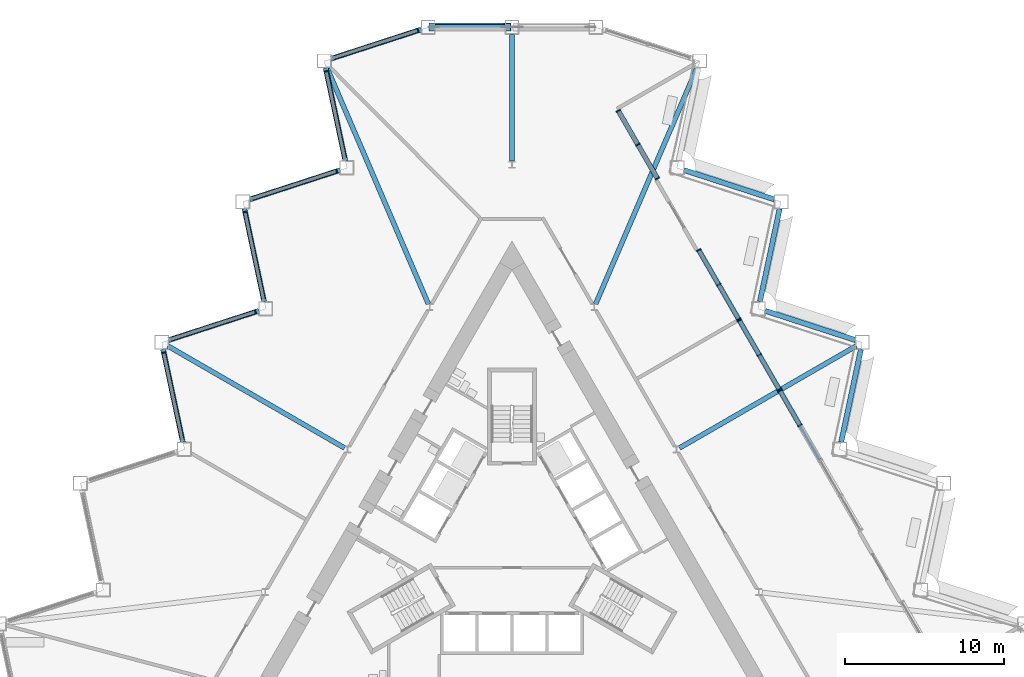
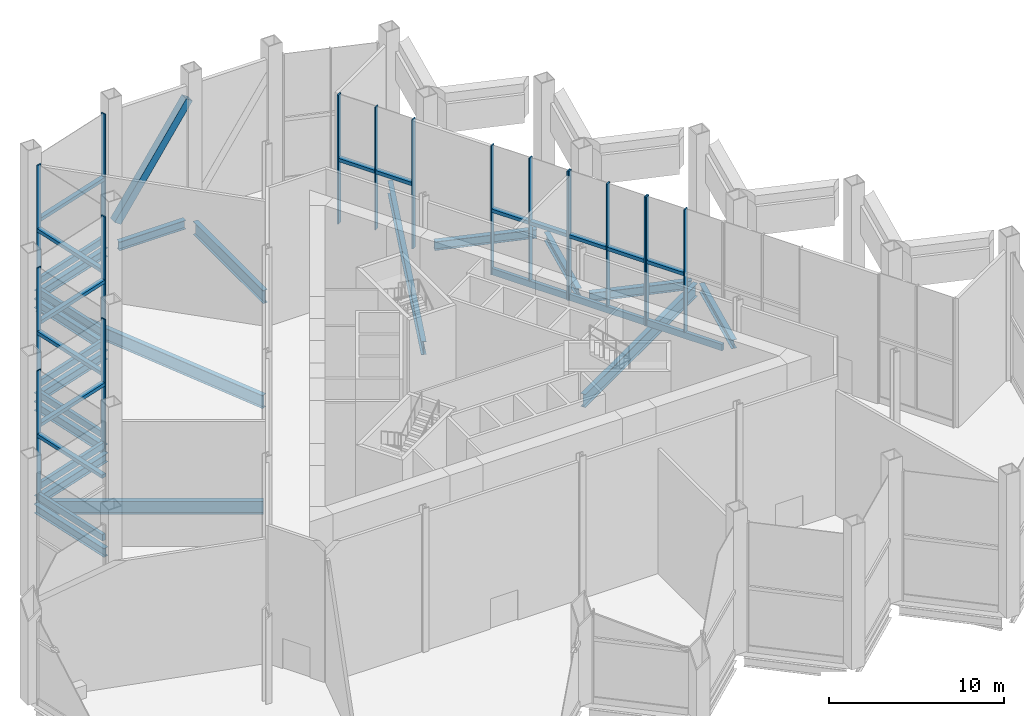
# One storey, part 5 of 18: 40 members, 16 beams, 5 elements without a shape of their own.
"""IFC4 building model written with IfcOpenShell, lengths in metres."""

from ifc_helpers import new_model, si_unit, direction, frame, origin, origin_2d, place, context, subcontext, project, spatial, rectangle, hollow_rectangle, i_section, extrude, material, layer, layer_set, material_profile, profile_set, type_object, element, aggregate, save


model = new_model("IFC4")

# Units and contexts
model_context = context("Model", 3, precision=1e-05, world=origin(), true_north=direction((0.0, 1.0)))
body_context = subcontext(model_context, "Body", "Model", "MODEL_VIEW")
ifc_project = project(units=[si_unit("LENGTHUNIT", "METRE"), si_unit("AREAUNIT", "SQUARE_METRE"), si_unit("VOLUMEUNIT", "CUBIC_METRE"), si_unit("PLANEANGLEUNIT", "RADIAN"), si_unit("MASSUNIT", "GRAM", prefix="KILO")], contexts=[model_context])

# Site, building, storey
site_placement = place(None, origin())
site = spatial("IfcSite", under=ifc_project, at=site_placement, CompositionType="ELEMENT")
building_placement = place(site_placement, origin())
building = spatial("IfcBuilding", under=site, at=building_placement, Name="Cormorant Prow Tower", CompositionType="ELEMENT")
storey_placement = place(building_placement, frame((0.0, 0.0, 154.199951171875)))
storey = spatial("IfcBuildingStorey", under=building, at=storey_placement, Name="L33", CompositionType="ELEMENT", Elevation=154.199951171875)

# Member
ifc_material_1 = material(Name="Structural steel ASTM A500 Gr C", Category="steel")
ifc_material_profile_1 = material_profile(ifc_material_1, hollow_rectangle(XDim=0.508056640625, YDim=0.508056640625, WallThickness=0.014892578125, at=origin_2d()), Name="HSS20x20x5/8")
ifc_profile_set_1 = profile_set([ifc_material_profile_1], Name="Structural steel ASTM A500 Gr C")
member_type_1 = type_object("IfcMemberType", Name="Chamfer brace HSS20x20x5/8", PredefinedType="BRACE", material=ifc_profile_set_1)
member_1_placement = place(storey_placement, frame((-4.989501953125, 32.487060546875, 1.01416015625), z_axis=(0.560352158033, 0.0, 0.828254465118), x_axis=(0.0, 1.0, 0.0)))
element("IfcMember", 1, at=member_1_placement, inside=storey, type_object=member_type_1, Name="Chamfer brace BR1 at N01 L33", PredefinedType="BRACE", context=body_context, shape_type="SweptSolid", body=[
    extrude(hollow_rectangle(XDim=0.508056640625, YDim=0.508056640625, WallThickness=0.014892578125, at=origin_2d()), origin(), (0.0, 0.0, 1.0), 8.404052734375),
])

# Beams
ifc_material_2 = material(Name="Structural steel ASTM A992 Gr 50", Category="steel")
ifc_material_profile_2 = material_profile(ifc_material_2, i_section(OverallWidth=0.3046875, OverallDepth=0.914794921875, WebThickness=0.0166015625, FlangeThickness=0.02587890625, at=origin_2d()), Name="W36x160")
ifc_profile_set_2 = profile_set([ifc_material_profile_2], Name="Structural steel ASTM A992 Gr 50")
beam_type_1 = type_object("IfcBeamType", Name="Radial floor beam W36x160", PredefinedType="BEAM", material=ifc_profile_set_2)
beam_1_placement = place(storey_placement, frame((0.0, 24.070068359375, -0.857421875), z_axis=(0.0, 1.0, 0.0), x_axis=(-1.0, 0.0, 0.0)))
element("IfcBeam", 2, at=beam_1_placement, inside=storey, type_object=beam_type_1, Name="Radial floor beam FB1 1 L33", PredefinedType="BEAM", context=body_context, shape_type="SweptSolid", body=[
    extrude(i_section(OverallWidth=0.3046875, OverallDepth=0.914794921875, WebThickness=0.0166015625, FlangeThickness=0.02587890625, at=origin_2d()), origin(), (0.0, 0.0, 1.0), 7.966796875),
])
beam_2_placement = place(storey_placement, frame((-5.25, 15.107666015625, -0.857421875), z_axis=(-0.394273140268, 0.918993302948, 0.0), x_axis=(-0.918993302948, -0.394273140268, 0.0)))
element("IfcBeam", 3, at=beam_2_placement, inside=storey, type_object=beam_type_1, Name="Radial floor beam FB1 2 L33", PredefinedType="BEAM", context=body_context, shape_type="SweptSolid", body=[
    extrude(i_section(OverallWidth=0.3046875, OverallDepth=0.914794921875, WebThickness=0.0166015625, FlangeThickness=0.02587890625, at=origin_2d()), origin(), (0.0, 0.0, 1.0), 16.153564453125),
])
for number, where, z_axis, x_axis, name in (
    (4, (-10.516845703125, 6.07177734375, -0.857421875), (-0.866021760006, 0.500006311156, 0.0), (-0.500006311156, -0.866021760006, 0.0), "Radial floor beam FB1 3 L33"),
    (5, (10.516845703125, 6.07177734375, -0.857421875), (0.866021760006, 0.500006311156, 0.0), (-0.500006311156, 0.866021760006, 0.0), "Radial floor beam FB1 11 L33"),
):
    element("IfcBeam", number, at=place(storey_placement, frame(where, z_axis=z_axis, x_axis=x_axis)), inside=storey, type_object=beam_type_1, Name=name, PredefinedType="BEAM", context=body_context, shape_type="SweptSolid", body=[
        extrude(i_section(OverallWidth=0.3046875, OverallDepth=0.914794921875, WebThickness=0.0166015625, FlangeThickness=0.02587890625, at=origin_2d()), origin(), (0.0, 0.0, 1.0), 12.805419921875),
    ])
beam_3_placement = place(storey_placement, frame((5.25, 15.107666015625, -0.857421875), z_axis=(0.394273140268, 0.918993302948, 0.0), x_axis=(-0.918993302948, 0.394273140268, 0.0)))
element("IfcBeam", 6, at=beam_3_placement, inside=storey, type_object=beam_type_1, Name="Radial floor beam FB1 12 L33", PredefinedType="BEAM", context=body_context, shape_type="SweptSolid", body=[
    extrude(i_section(OverallWidth=0.3046875, OverallDepth=0.914794921875, WebThickness=0.0166015625, FlangeThickness=0.02587890625, at=origin_2d()), origin(), (0.0, 0.0, 1.0), 16.153564453125),
])

# Curtain wall, members
ifc_material_3 = material(Name="Aluminium 6063-T6", Category="aluminium")
ifc_layer = layer(ifc_material_3, 0.300048828125)
ifc_layer_set = layer_set([ifc_layer], Name="Aluminium 6063-T6")
curtain_wall_type = type_object("IfcCurtainWallType", Name="Sky lobby unitised curtain wall 300", PredefinedType="NOTDEFINED", material=ifc_layer_set)
curtain_wall_1_placement = place(storey_placement, origin())
curtain_wall_1 = element("IfcCurtainWall", 7, at=curtain_wall_1_placement, inside=storey, type_object=curtain_wall_type, Name="Sky lobby curtain wall WNW00-WNW09", PredefinedType="NOTDEFINED")
ifc_material_4 = material(Name="Aluminium 6063-T6", Category="aluminium")
ifc_material_profile_3 = material_profile(ifc_material_4, rectangle(XDim=0.300048828125, YDim=0.239990234375, at=origin_2d()), Name="Sky lobby intermediate transom 300x240")
ifc_profile_set_3 = profile_set([ifc_material_profile_3], Name="Aluminium 6063-T6")
member_type_2 = type_object("IfcMemberType", Name="Sky lobby intermediate transom 300x240", PredefinedType="USERDEFINED", material=ifc_profile_set_3)
member_2_placement = place(storey_placement, frame((-5.95068359375, 32.265625, 4.494384765625), z_axis=(-0.951057181883, -0.3090149459, 0.0), x_axis=(0.3090149459, -0.951057181883, 0.0)))
member_2 = element("IfcMember", 8, at=member_2_placement, type_object=member_type_2, Name="Sky lobby intermediate transom WNW00-WNW09", ObjectType="TRANSOM", PredefinedType="USERDEFINED", context=body_context, shape_type="SweptSolid", body=[
    extrude(rectangle(XDim=0.300048828125, YDim=0.239990234375, at=origin_2d()), origin(), (0.0, 0.0, 1.0), 5.5107421875),
])
member_3_placement = place(storey_placement, frame((-11.6474609375, 29.666015625, 4.494384765625), z_axis=(0.207910151101, -0.97814792801, 0.0), x_axis=(0.97814792801, 0.207910151101, 0.0)))
member_3 = element("IfcMember", 9, at=member_3_placement, type_object=member_type_2, Name="Sky lobby intermediate transom WNW00-WNW09", ObjectType="TRANSOM", PredefinedType="USERDEFINED", context=body_context, shape_type="SweptSolid", body=[
    extrude(rectangle(XDim=0.300048828125, YDim=0.239990234375, at=origin_2d()), origin(), (0.0, 0.0, 1.0), 5.5107421875),
])
member_4_placement = place(storey_placement, frame((-11.050537109375, 23.432373046875, 4.494384765625), z_axis=(-0.951057181883, -0.3090149459, 0.0), x_axis=(0.3090149459, -0.951057181883, 0.0)))
member_4 = element("IfcMember", 10, at=member_4_placement, type_object=member_type_2, Name="Sky lobby intermediate transom WNW00-WNW09", ObjectType="TRANSOM", PredefinedType="USERDEFINED", context=body_context, shape_type="SweptSolid", body=[
    extrude(rectangle(XDim=0.300048828125, YDim=0.239990234375, at=origin_2d()), origin(), (0.0, 0.0, 1.0), 5.5107421875),
])
member_5_placement = place(storey_placement, frame((-16.74755859375, 20.83251953125, 4.494384765625), z_axis=(0.207919161079, -0.978146012851, 0.0), x_axis=(0.978146012851, 0.207919161079, 0.0)))
member_5 = element("IfcMember", 11, at=member_5_placement, type_object=member_type_2, Name="Sky lobby intermediate transom WNW00-WNW09", ObjectType="TRANSOM", PredefinedType="USERDEFINED", context=body_context, shape_type="SweptSolid", body=[
    extrude(rectangle(XDim=0.300048828125, YDim=0.239990234375, at=origin_2d()), origin(), (0.0, 0.0, 1.0), 5.510498046875),
])
member_6_placement = place(storey_placement, frame((-16.150390625, 14.598876953125, 4.494384765625), z_axis=(-0.951057181883, -0.3090149459, 0.0), x_axis=(0.3090149459, -0.951057181883, 0.0)))
member_6 = element("IfcMember", 12, at=member_6_placement, type_object=member_type_2, Name="Sky lobby intermediate transom WNW00-WNW09", ObjectType="TRANSOM", PredefinedType="USERDEFINED", context=body_context, shape_type="SweptSolid", body=[
    extrude(rectangle(XDim=0.300048828125, YDim=0.239990234375, at=origin_2d()), origin(), (0.0, 0.0, 1.0), 5.5107421875),
])
member_7_placement = place(storey_placement, frame((-21.847412109375, 11.999267578125, 4.494384765625), z_axis=(0.207910151101, -0.97814792801, 0.0), x_axis=(0.97814792801, 0.207910151101, 0.0)))
member_7 = element("IfcMember", 13, at=member_7_placement, type_object=member_type_2, Name="Sky lobby intermediate transom WNW00-WNW09", ObjectType="TRANSOM", PredefinedType="USERDEFINED", context=body_context, shape_type="SweptSolid", body=[
    extrude(rectangle(XDim=0.300048828125, YDim=0.239990234375, at=origin_2d()), origin(), (0.0, 0.0, 1.0), 5.5107421875),
])

# Curtain wall, member
curtain_wall_2_placement = place(storey_placement, origin())
curtain_wall_2 = element("IfcCurtainWall", 14, at=curtain_wall_2_placement, inside=storey, type_object=curtain_wall_type, Name="Sky lobby curtain wall loggia ENE04", PredefinedType="NOTDEFINED")
member_8_placement = place(storey_placement, frame((18.05517578125, 7.52587890625, 4.494384765625), z_axis=(-0.500018134935, 0.866014933322, 0.0), x_axis=(-0.866014933322, -0.500018134935, 0.0)))
member_8 = element("IfcMember", 15, at=member_8_placement, type_object=member_type_2, Name="Sky lobby intermediate transom loggia ENE04", ObjectType="TRANSOM", PredefinedType="USERDEFINED", context=body_context, shape_type="SweptSolid", body=[
    extrude(rectangle(XDim=0.300048828125, YDim=0.239990234375, at=origin_2d()), origin(), (0.0, 0.0, 1.0), 2.43017578125),
])

# Curtain wall, members
curtain_wall_3_placement = place(storey_placement, origin())
curtain_wall_3 = element("IfcCurtainWall", 16, at=curtain_wall_3_placement, inside=storey, type_object=curtain_wall_type, Name="Sky lobby curtain wall loggia ENE05", PredefinedType="NOTDEFINED")
member_9_placement = place(storey_placement, frame((16.76025390625, 9.768798828125, 4.494384765625), z_axis=(-0.500018134935, 0.866014933322, 0.0), x_axis=(-0.866014933322, -0.500018134935, 0.0)))
member_9 = element("IfcMember", 17, at=member_9_placement, type_object=member_type_2, Name="Sky lobby intermediate transom loggia ENE05", ObjectType="TRANSOM", PredefinedType="USERDEFINED", context=body_context, shape_type="SweptSolid", body=[
    extrude(rectangle(XDim=0.300048828125, YDim=0.239990234375, at=origin_2d()), origin(), (0.0, 0.0, 1.0), 2.43017578125),
])
member_10_placement = place(storey_placement, frame((15.505126953125, 11.942626953125, 4.494384765625), z_axis=(-0.499986286727, 0.866033321001, 0.0), x_axis=(-0.866033321001, -0.499986286727, 0.0)))
member_10 = element("IfcMember", 18, at=member_10_placement, type_object=member_type_2, Name="Sky lobby intermediate transom loggia ENE05", ObjectType="TRANSOM", PredefinedType="USERDEFINED", context=body_context, shape_type="SweptSolid", body=[
    extrude(rectangle(XDim=0.300048828125, YDim=0.239990234375, at=origin_2d()), origin(), (0.0, 0.0, 1.0), 2.4296875),
])

curtain_wall_4_placement = place(storey_placement, origin())
curtain_wall_4 = element("IfcCurtainWall", 19, at=curtain_wall_4_placement, inside=storey, type_object=curtain_wall_type, Name="Sky lobby curtain wall loggia ENE06", PredefinedType="NOTDEFINED")
member_11_placement = place(storey_placement, frame((14.210205078125, 14.185546875, 4.494384765625), z_axis=(-0.500018134935, 0.866014933322, 0.0), x_axis=(-0.866014933322, -0.500018134935, 0.0)))
member_11 = element("IfcMember", 20, at=member_11_placement, type_object=member_type_2, Name="Sky lobby intermediate transom loggia ENE06", ObjectType="TRANSOM", PredefinedType="USERDEFINED", context=body_context, shape_type="SweptSolid", body=[
    extrude(rectangle(XDim=0.300048828125, YDim=0.239990234375, at=origin_2d()), origin(), (0.0, 0.0, 1.0), 2.43017578125),
])
member_12_placement = place(storey_placement, frame((12.955078125, 16.359130859375, 4.494384765625), z_axis=(-0.499942781752, 0.866058436235, 0.0), x_axis=(-0.866058436235, -0.499942781752, 0.0)))
member_12 = element("IfcMember", 21, at=member_12_placement, type_object=member_type_2, Name="Sky lobby intermediate transom loggia ENE06", ObjectType="TRANSOM", PredefinedType="USERDEFINED", context=body_context, shape_type="SweptSolid", body=[
    extrude(rectangle(XDim=0.300048828125, YDim=0.239990234375, at=origin_2d()), origin(), (0.0, 0.0, 1.0), 2.429931640625),
])

curtain_wall_5_placement = place(storey_placement, origin())
curtain_wall_5 = element("IfcCurtainWall", 22, at=curtain_wall_5_placement, inside=storey, type_object=curtain_wall_type, Name="Sky lobby curtain wall loggia ENE08", PredefinedType="NOTDEFINED")
member_13_placement = place(storey_placement, frame((9.1103515625, 23.018798828125, 4.494384765625), z_axis=(-0.499986429846, 0.866033238375, 0.0), x_axis=(-0.866033238375, -0.499986429846, 0.0)))
member_13 = element("IfcMember", 23, at=member_13_placement, type_object=member_type_2, Name="Sky lobby intermediate transom loggia ENE08", ObjectType="TRANSOM", PredefinedType="USERDEFINED", context=body_context, shape_type="SweptSolid", body=[
    extrude(rectangle(XDim=0.300048828125, YDim=0.239990234375, at=origin_2d()), origin(), (0.0, 0.0, 1.0), 2.375),
])
member_14_placement = place(storey_placement, frame((7.8828125, 25.14501953125, 4.494384765625), z_axis=(-0.500030943131, 0.866007538022, 0.0), x_axis=(-0.866007538022, -0.500030943131, 0.0)))
member_14 = element("IfcMember", 24, at=member_14_placement, type_object=member_type_2, Name="Sky lobby intermediate transom loggia ENE08", ObjectType="TRANSOM", PredefinedType="USERDEFINED", context=body_context, shape_type="SweptSolid", body=[
    extrude(rectangle(XDim=0.300048828125, YDim=0.239990234375, at=origin_2d()), origin(), (0.0, 0.0, 1.0), 2.374755859375),
])

# Member
ifc_material_5 = material(Name="Aluminium 6063-T6", Category="aluminium")
ifc_material_profile_4 = material_profile(ifc_material_5, rectangle(XDim=0.300048828125, YDim=0.080078125, at=origin_2d()), Name="Sky lobby mullion 80x300")
ifc_profile_set_4 = profile_set([ifc_material_profile_4], Name="Aluminium 6063-T6")
member_type_3 = type_object("IfcMemberType", Name="Sky lobby mullion 80x300", PredefinedType="MULLION", material=ifc_profile_set_4)
member_15_placement = place(storey_placement, frame((-5.91259765625, 32.278076171875, 0.0), z_axis=(0.0, 0.0, 1.0), x_axis=(0.309017099613, -0.951056482101, 0.0)))
member_15 = element("IfcMember", 25, at=member_15_placement, type_object=member_type_3, Name="Sky lobby mullion WNW00-WNW09", PredefinedType="MULLION", context=body_context, shape_type="SweptSolid", body=[
    extrude(rectangle(XDim=0.300048828125, YDim=0.080078125, at=origin_2d()), origin(), (0.0, 0.0, 1.0), 8.989013671875),
])

member_16_placement = place(storey_placement, frame((-11.65576171875, 29.705078125, 0.0), z_axis=(0.0, 0.0, 1.0), x_axis=(0.978147623116, 0.207911585518, 0.0)))
member_16 = element("IfcMember", 26, at=member_16_placement, type_object=member_type_3, Name="Sky lobby mullion WNW00-WNW09", PredefinedType="MULLION", context=body_context, shape_type="SweptSolid", body=[
    extrude(rectangle(XDim=0.300048828125, YDim=0.080078125, at=origin_2d()), origin(), (0.0, 0.0, 1.0), 8.989013671875),
])

member_17_placement = place(storey_placement, frame((-11.012451171875, 23.444580078125, 0.0), z_axis=(0.0, 0.0, 1.0), x_axis=(0.309017056787, -0.951056496016, 0.0)))
member_17 = element("IfcMember", 27, at=member_17_placement, type_object=member_type_3, Name="Sky lobby mullion WNW00-WNW09", PredefinedType="MULLION", context=body_context, shape_type="SweptSolid", body=[
    extrude(rectangle(XDim=0.300048828125, YDim=0.080078125, at=origin_2d()), origin(), (0.0, 0.0, 1.0), 8.989013671875),
])

member_18_placement = place(storey_placement, frame((-16.755859375, 20.87158203125, 0.0), z_axis=(0.0, 0.0, 1.0), x_axis=(0.97814759348, 0.207911724944, 0.0)))
member_18 = element("IfcMember", 28, at=member_18_placement, type_object=member_type_3, Name="Sky lobby mullion WNW00-WNW09", PredefinedType="MULLION", context=body_context, shape_type="SweptSolid", body=[
    extrude(rectangle(XDim=0.300048828125, YDim=0.080078125, at=origin_2d()), origin(), (0.0, 0.0, 1.0), 8.989013671875),
])

member_19_placement = place(storey_placement, frame((-16.112548828125, 14.611328125, 0.0), z_axis=(0.0, 0.0, 1.0), x_axis=(0.309017056787, -0.951056496016, 0.0)))
member_19 = element("IfcMember", 29, at=member_19_placement, type_object=member_type_3, Name="Sky lobby mullion WNW00-WNW09", PredefinedType="MULLION", context=body_context, shape_type="SweptSolid", body=[
    extrude(rectangle(XDim=0.300048828125, YDim=0.080078125, at=origin_2d()), origin(), (0.0, 0.0, 1.0), 8.989013671875),
])

member_20_placement = place(storey_placement, frame((-21.855712890625, 12.038330078125, 0.0), z_axis=(0.0, 0.0, 1.0), x_axis=(0.97814759348, 0.207911724944, 0.0)))
member_20 = element("IfcMember", 30, at=member_20_placement, type_object=member_type_3, Name="Sky lobby mullion WNW00-WNW09", PredefinedType="MULLION", context=body_context, shape_type="SweptSolid", body=[
    extrude(rectangle(XDim=0.300048828125, YDim=0.080078125, at=origin_2d()), origin(), (0.0, 0.0, 1.0), 8.989013671875),
])

member_21_placement = place(storey_placement, frame((18.0751953125, 7.4912109375, 0.449951171875), z_axis=(0.0, 0.0, 1.0), x_axis=(-0.866025410364, -0.499999988603, 0.0)))
member_21 = element("IfcMember", 31, at=member_21_placement, type_object=member_type_3, Name="Sky lobby mullion loggia ENE04", PredefinedType="MULLION", context=body_context, shape_type="SweptSolid", body=[
    extrude(rectangle(XDim=0.300048828125, YDim=0.080078125, at=origin_2d()), origin(), (0.0, 0.0, 1.0), 8.5390625),
])

member_22_placement = place(storey_placement, frame((16.820068359375, 9.6650390625, 0.0), z_axis=(0.0, 0.0, 1.0), x_axis=(-0.866025410364, -0.499999988603, 0.0)))
member_22 = element("IfcMember", 32, at=member_22_placement, type_object=member_type_3, Name="Sky lobby mullion loggia ENE04", PredefinedType="MULLION", context=body_context, shape_type="SweptSolid", body=[
    extrude(rectangle(XDim=0.300048828125, YDim=0.080078125, at=origin_2d()), origin(), (0.0, 0.0, 1.0), 8.989013671875),
])

member_23_placement = place(storey_placement, frame((16.780029296875, 9.734130859375, 0.0), z_axis=(0.0, 0.0, 1.0), x_axis=(-0.866025410364, -0.499999988603, 0.0)))
member_23 = element("IfcMember", 33, at=member_23_placement, type_object=member_type_3, Name="Sky lobby mullion loggia ENE05", PredefinedType="MULLION", context=body_context, shape_type="SweptSolid", body=[
    extrude(rectangle(XDim=0.300048828125, YDim=0.080078125, at=origin_2d()), origin(), (0.0, 0.0, 1.0), 8.989013671875),
])

member_24_placement = place(storey_placement, frame((15.525146484375, 11.907958984375, 0.449951171875), z_axis=(0.0, 0.0, 1.0), x_axis=(-0.866025410364, -0.499999988603, 0.0)))
member_24 = element("IfcMember", 34, at=member_24_placement, type_object=member_type_3, Name="Sky lobby mullion loggia ENE05", PredefinedType="MULLION", context=body_context, shape_type="SweptSolid", body=[
    extrude(rectangle(XDim=0.300048828125, YDim=0.080078125, at=origin_2d()), origin(), (0.0, 0.0, 1.0), 8.5390625),
])

member_25_placement = place(storey_placement, frame((14.270263671875, 14.08154296875, 0.0), z_axis=(0.0, 0.0, 1.0), x_axis=(-0.866025410364, -0.499999988603, 0.0)))
member_25 = element("IfcMember", 35, at=member_25_placement, type_object=member_type_3, Name="Sky lobby mullion loggia ENE05", PredefinedType="MULLION", context=body_context, shape_type="SweptSolid", body=[
    extrude(rectangle(XDim=0.300048828125, YDim=0.080078125, at=origin_2d()), origin(), (0.0, 0.0, 1.0), 8.989013671875),
])

member_26_placement = place(storey_placement, frame((14.230224609375, 14.15087890625, 0.0), z_axis=(0.0, 0.0, 1.0), x_axis=(-0.866025410364, -0.499999988603, 0.0)))
member_26 = element("IfcMember", 36, at=member_26_placement, type_object=member_type_3, Name="Sky lobby mullion loggia ENE06", PredefinedType="MULLION", context=body_context, shape_type="SweptSolid", body=[
    extrude(rectangle(XDim=0.300048828125, YDim=0.080078125, at=origin_2d()), origin(), (0.0, 0.0, 1.0), 8.989013671875),
])

member_27_placement = place(storey_placement, frame((12.97509765625, 16.324462890625, 0.449951171875), z_axis=(0.0, 0.0, 1.0), x_axis=(-0.866025410364, -0.499999988603, 0.0)))
member_27 = element("IfcMember", 37, at=member_27_placement, type_object=member_type_3, Name="Sky lobby mullion loggia ENE06", PredefinedType="MULLION", context=body_context, shape_type="SweptSolid", body=[
    extrude(rectangle(XDim=0.300048828125, YDim=0.080078125, at=origin_2d()), origin(), (0.0, 0.0, 1.0), 8.5390625),
])

member_28_placement = place(storey_placement, frame((11.72021484375, 18.498291015625, 0.0), z_axis=(0.0, 0.0, 1.0), x_axis=(-0.866025410364, -0.499999988603, 0.0)))
member_28 = element("IfcMember", 38, at=member_28_placement, type_object=member_type_3, Name="Sky lobby mullion loggia ENE06", PredefinedType="MULLION", context=body_context, shape_type="SweptSolid", body=[
    extrude(rectangle(XDim=0.300048828125, YDim=0.080078125, at=origin_2d()), origin(), (0.0, 0.0, 1.0), 8.989013671875),
])

member_29_placement = place(storey_placement, frame((9.130126953125, 22.984130859375, 0.0), z_axis=(0.0, 0.0, 1.0), x_axis=(-0.866025410364, -0.499999988603, 0.0)))
member_29 = element("IfcMember", 39, at=member_29_placement, type_object=member_type_3, Name="Sky lobby mullion loggia ENE08", PredefinedType="MULLION", context=body_context, shape_type="SweptSolid", body=[
    extrude(rectangle(XDim=0.300048828125, YDim=0.080078125, at=origin_2d()), origin(), (0.0, 0.0, 1.0), 8.989013671875),
])

member_30_placement = place(storey_placement, frame((7.90283203125, 25.1103515625, 0.449951171875), z_axis=(0.0, 0.0, 1.0), x_axis=(-0.866025410364, -0.499999988603, 0.0)))
member_30 = element("IfcMember", 40, at=member_30_placement, type_object=member_type_3, Name="Sky lobby mullion loggia ENE08", PredefinedType="MULLION", context=body_context, shape_type="SweptSolid", body=[
    extrude(rectangle(XDim=0.300048828125, YDim=0.080078125, at=origin_2d()), origin(), (0.0, 0.0, 1.0), 8.5390625),
])

member_31_placement = place(storey_placement, frame((6.67529296875, 27.236328125, 0.0), z_axis=(0.0, 0.0, 1.0), x_axis=(-0.866025410364, -0.499999988603, 0.0)))
member_31 = element("IfcMember", 41, at=member_31_placement, type_object=member_type_3, Name="Sky lobby mullion loggia ENE08", PredefinedType="MULLION", context=body_context, shape_type="SweptSolid", body=[
    extrude(rectangle(XDim=0.300048828125, YDim=0.080078125, at=origin_2d()), origin(), (0.0, 0.0, 1.0), 8.989013671875),
])

aggregate(curtain_wall_5, [member_29, member_30, member_31, member_13, member_14])

ifc_material_6 = material(Name="Terracotta", Category="masonry")
ifc_material_profile_5 = material_profile(ifc_material_6, rectangle(XDim=0.219970703125, YDim=0.449951171875, at=origin_2d()), Name="Sky lobby terracotta spandrel rail 220x450")
ifc_profile_set_5 = profile_set([ifc_material_profile_5], Name="Terracotta")
member_type_4 = type_object("IfcMemberType", Name="Sky lobby terracotta spandrel rail 220x450", PredefinedType="USERDEFINED", material=ifc_profile_set_5)
member_32_placement = place(storey_placement, frame((-5.95068359375, 32.265625, 0.22509765625), z_axis=(-0.951057181883, -0.3090149459, 0.0), x_axis=(0.3090149459, -0.951057181883, 0.0)))
member_32 = element("IfcMember", 42, at=member_32_placement, type_object=member_type_4, Name="Sky lobby spandrel rail WNW00-WNW09", ObjectType="TRANSOM", PredefinedType="USERDEFINED", context=body_context, shape_type="SweptSolid", body=[
    extrude(rectangle(XDim=0.219970703125, YDim=0.449951171875, at=origin_2d()), origin(), (0.0, 0.0, 1.0), 5.5107421875),
])

member_33_placement = place(storey_placement, frame((-11.6474609375, 29.666015625, 0.22509765625), z_axis=(0.207910151101, -0.97814792801, 0.0), x_axis=(0.97814792801, 0.207910151101, 0.0)))
member_33 = element("IfcMember", 43, at=member_33_placement, type_object=member_type_4, Name="Sky lobby spandrel rail WNW00-WNW09", ObjectType="TRANSOM", PredefinedType="USERDEFINED", context=body_context, shape_type="SweptSolid", body=[
    extrude(rectangle(XDim=0.219970703125, YDim=0.449951171875, at=origin_2d()), origin(), (0.0, 0.0, 1.0), 5.5107421875),
])

member_34_placement = place(storey_placement, frame((-11.050537109375, 23.432373046875, 0.22509765625), z_axis=(-0.951057181883, -0.3090149459, 0.0), x_axis=(0.3090149459, -0.951057181883, 0.0)))
member_34 = element("IfcMember", 44, at=member_34_placement, type_object=member_type_4, Name="Sky lobby spandrel rail WNW00-WNW09", ObjectType="TRANSOM", PredefinedType="USERDEFINED", context=body_context, shape_type="SweptSolid", body=[
    extrude(rectangle(XDim=0.219970703125, YDim=0.449951171875, at=origin_2d()), origin(), (0.0, 0.0, 1.0), 5.5107421875),
])

member_35_placement = place(storey_placement, frame((-16.74755859375, 20.83251953125, 0.22509765625), z_axis=(0.207919161079, -0.978146012851, 0.0), x_axis=(0.978146012851, 0.207919161079, 0.0)))
member_35 = element("IfcMember", 45, at=member_35_placement, type_object=member_type_4, Name="Sky lobby spandrel rail WNW00-WNW09", ObjectType="TRANSOM", PredefinedType="USERDEFINED", context=body_context, shape_type="SweptSolid", body=[
    extrude(rectangle(XDim=0.219970703125, YDim=0.449951171875, at=origin_2d()), origin(), (0.0, 0.0, 1.0), 5.510498046875),
])

member_36_placement = place(storey_placement, frame((-16.150390625, 14.598876953125, 0.22509765625), z_axis=(-0.951057181883, -0.3090149459, 0.0), x_axis=(0.3090149459, -0.951057181883, 0.0)))
member_36 = element("IfcMember", 46, at=member_36_placement, type_object=member_type_4, Name="Sky lobby spandrel rail WNW00-WNW09", ObjectType="TRANSOM", PredefinedType="USERDEFINED", context=body_context, shape_type="SweptSolid", body=[
    extrude(rectangle(XDim=0.219970703125, YDim=0.449951171875, at=origin_2d()), origin(), (0.0, 0.0, 1.0), 5.5107421875),
])

member_37_placement = place(storey_placement, frame((-21.847412109375, 11.999267578125, 0.22509765625), z_axis=(0.207910151101, -0.97814792801, 0.0), x_axis=(0.97814792801, 0.207910151101, 0.0)))
member_37 = element("IfcMember", 47, at=member_37_placement, type_object=member_type_4, Name="Sky lobby spandrel rail WNW00-WNW09", ObjectType="TRANSOM", PredefinedType="USERDEFINED", context=body_context, shape_type="SweptSolid", body=[
    extrude(rectangle(XDim=0.219970703125, YDim=0.449951171875, at=origin_2d()), origin(), (0.0, 0.0, 1.0), 5.5107421875),
])

aggregate(curtain_wall_1, [member_15, member_32, member_2, member_16, member_33, member_3, member_17, member_34, member_4, member_18, member_35, member_5, member_19, member_36, member_6, member_20, member_37, member_7])

member_38_placement = place(storey_placement, frame((19.31005859375, 5.352294921875, 0.22509765625), z_axis=(-0.500003381691, 0.866023451356, 0.0), x_axis=(-0.866023451356, -0.500003381691, 0.0)))
member_38 = element("IfcMember", 48, at=member_38_placement, type_object=member_type_4, Name="Sky lobby spandrel rail loggia ENE04", ObjectType="TRANSOM", PredefinedType="USERDEFINED", context=body_context, shape_type="SweptSolid", body=[
    extrude(rectangle(XDim=0.219970703125, YDim=0.449951171875, at=origin_2d()), origin(), (0.0, 0.0, 1.0), 4.93994140625),
])

aggregate(curtain_wall_2, [member_21, member_22, member_38, member_8])

member_39_placement = place(storey_placement, frame((16.76025390625, 9.768798828125, 0.22509765625), z_axis=(-0.500003381691, 0.866023451356, 0.0), x_axis=(-0.866023451356, -0.500003381691, 0.0)))
member_39 = element("IfcMember", 49, at=member_39_placement, type_object=member_type_4, Name="Sky lobby spandrel rail loggia ENE05", ObjectType="TRANSOM", PredefinedType="USERDEFINED", context=body_context, shape_type="SweptSolid", body=[
    extrude(rectangle(XDim=0.219970703125, YDim=0.449951171875, at=origin_2d()), origin(), (0.0, 0.0, 1.0), 4.93994140625),
])

aggregate(curtain_wall_3, [member_23, member_24, member_25, member_39, member_9, member_10])

member_40_placement = place(storey_placement, frame((14.210205078125, 14.185546875, 0.22509765625), z_axis=(-0.500003381691, 0.866023451356, 0.0), x_axis=(-0.866023451356, -0.500003381691, 0.0)))
member_40 = element("IfcMember", 50, at=member_40_placement, type_object=member_type_4, Name="Sky lobby spandrel rail loggia ENE06", ObjectType="TRANSOM", PredefinedType="USERDEFINED", context=body_context, shape_type="SweptSolid", body=[
    extrude(rectangle(XDim=0.219970703125, YDim=0.449951171875, at=origin_2d()), origin(), (0.0, 0.0, 1.0), 4.93994140625),
])

aggregate(curtain_wall_4, [member_26, member_27, member_28, member_40, member_11, member_12])

# Beams
ifc_material_7 = material(Name="Structural steel ASTM A992 Gr 50", Category="steel")
ifc_material_profile_6 = material_profile(ifc_material_7, i_section(OverallWidth=0.32373046875, OverallDepth=0.611083984375, WebThickness=0.0126953125, FlangeThickness=0.01904296875, at=origin_2d()), Name="W24x104")
ifc_profile_set_6 = profile_set([ifc_material_profile_6], Name="Structural steel ASTM A992 Gr 50")
beam_type_2 = type_object("IfcBeamType", Name="Spandrel beam W24x104", PredefinedType="SPANDREL", material=ifc_profile_set_6)
beam_4_placement = place(storey_placement, frame((20.6630859375, 6.427001953125, -0.70556640625), z_axis=(0.207912620873, 0.978147403044, 0.0), x_axis=(-0.978147403044, 0.207912620873, 0.0)))
element("IfcBeam", 51, at=beam_4_placement, inside=storey, type_object=beam_type_2, Name="Spandrel beam SB1 ENE04-ENE05 L33", PredefinedType="SPANDREL", context=body_context, shape_type="SweptSolid", body=[
    extrude(i_section(OverallWidth=0.32373046875, OverallDepth=0.611083984375, WebThickness=0.0126953125, FlangeThickness=0.01904296875, at=origin_2d()), origin(), (0.0, 0.0, 1.0), 5.962890625),
])
for number, where, z_axis, x_axis, name in (
    (52, (21.568359375, 12.838623046875, -0.70556640625), (-0.951059340519, 0.309008302174, 0.0), (-0.309008302174, -0.951059340519, 0.0), "Spandrel beam SB1 ENE05-ENE06 L33"),
    (53, (15.56298828125, 15.260498046875, -0.70556640625), (0.207920947907, 0.978145633033, 0.0), (-0.978145633033, 0.207920947907, 0.0), "Spandrel beam SB1 ENE06-ENE07 L33"),
):
    element("IfcBeam", number, at=place(storey_placement, frame(where, z_axis=z_axis, x_axis=x_axis)), inside=storey, type_object=beam_type_2, Name=name, PredefinedType="SPANDREL", context=body_context, shape_type="SweptSolid", body=[
        extrude(i_section(OverallWidth=0.32373046875, OverallDepth=0.611083984375, WebThickness=0.0126953125, FlangeThickness=0.01904296875, at=origin_2d()), origin(), (0.0, 0.0, 1.0), 5.962646484375),
    ])
beam_5_placement = place(storey_placement, frame((16.468505859375, 21.671875, -0.70556640625), z_axis=(-0.95104730696, 0.309045336358, 0.0), x_axis=(-0.309045336358, -0.95104730696, 0.0)))
element("IfcBeam", 54, at=beam_5_placement, inside=storey, type_object=beam_type_2, Name="Spandrel beam SB1 ENE07-ENE08 L33", PredefinedType="SPANDREL", context=body_context, shape_type="SweptSolid", body=[
    extrude(i_section(OverallWidth=0.32373046875, OverallDepth=0.611083984375, WebThickness=0.0126953125, FlangeThickness=0.01904296875, at=origin_2d()), origin(), (0.0, 0.0, 1.0), 5.962890625),
])
beam_6_placement = place(storey_placement, frame((-0.449951171875, 32.487060546875, -0.70556640625), z_axis=(-1.0, 0.0, 0.0), x_axis=(0.0, -1.0, 0.0)))
element("IfcBeam", 55, at=beam_6_placement, inside=storey, type_object=beam_type_2, Name="Spandrel beam SB1 N01-WNW00 L33", PredefinedType="SPANDREL", context=body_context, shape_type="SweptSolid", body=[
    extrude(i_section(OverallWidth=0.32373046875, OverallDepth=0.611083984375, WebThickness=0.0126953125, FlangeThickness=0.01904296875, at=origin_2d()), origin(), (0.0, 0.0, 1.0), 4.36962890625),
])
beam_7_placement = place(storey_placement, frame((-5.69775390625, 32.347900390625, -0.70556640625), z_axis=(-0.951055430656, -0.309020335608, 0.0), x_axis=(0.309020335608, -0.951055430656, 0.0)))
element("IfcBeam", 56, at=beam_7_placement, inside=storey, type_object=beam_type_2, Name="Spandrel beam SB1 WNW00-WNW01 L33", PredefinedType="SPANDREL", context=body_context, shape_type="SweptSolid", body=[
    extrude(i_section(OverallWidth=0.32373046875, OverallDepth=0.611083984375, WebThickness=0.0126953125, FlangeThickness=0.01904296875, at=origin_2d()), origin(), (0.0, 0.0, 1.0), 5.96240234375),
])
beam_8_placement = place(storey_placement, frame((-11.702880859375, 29.926025390625, -0.70556640625), z_axis=(0.207920947907, -0.978145633033, 0.0), x_axis=(0.978145633033, 0.207920947907, 0.0)))
element("IfcBeam", 57, at=beam_8_placement, inside=storey, type_object=beam_type_2, Name="Spandrel beam SB1 WNW01-WNW02 L33", PredefinedType="SPANDREL", context=body_context, shape_type="SweptSolid", body=[
    extrude(i_section(OverallWidth=0.32373046875, OverallDepth=0.611083984375, WebThickness=0.0126953125, FlangeThickness=0.01904296875, at=origin_2d()), origin(), (0.0, 0.0, 1.0), 5.962646484375),
])
beam_9_placement = place(storey_placement, frame((-10.797607421875, 23.5146484375, -0.70556640625), z_axis=(-0.95104730696, -0.309045336358, 0.0), x_axis=(0.309045336358, -0.95104730696, 0.0)))
element("IfcBeam", 58, at=beam_9_placement, inside=storey, type_object=beam_type_2, Name="Spandrel beam SB1 WNW02-WNW03 L33", PredefinedType="SPANDREL", context=body_context, shape_type="SweptSolid", body=[
    extrude(i_section(OverallWidth=0.32373046875, OverallDepth=0.611083984375, WebThickness=0.0126953125, FlangeThickness=0.01904296875, at=origin_2d()), origin(), (0.0, 0.0, 1.0), 5.962890625),
])
for number, where, z_axis, x_axis, name in (
    (59, (-16.802734375, 21.0927734375, -0.70556640625), (0.207920947907, -0.978145633033, 0.0), (0.978145633033, 0.207920947907, 0.0), "Spandrel beam SB1 WNW03-WNW04 L33"),
    (60, (-15.8974609375, 14.68115234375, -0.70556640625), (-0.951059340519, -0.309008302174, 0.0), (0.309008302174, -0.951059340519, 0.0), "Spandrel beam SB1 WNW04-WNW05 L33"),
):
    element("IfcBeam", number, at=place(storey_placement, frame(where, z_axis=z_axis, x_axis=x_axis)), inside=storey, type_object=beam_type_2, Name=name, PredefinedType="SPANDREL", context=body_context, shape_type="SweptSolid", body=[
        extrude(i_section(OverallWidth=0.32373046875, OverallDepth=0.611083984375, WebThickness=0.0126953125, FlangeThickness=0.01904296875, at=origin_2d()), origin(), (0.0, 0.0, 1.0), 5.962646484375),
    ])
beam_10_placement = place(storey_placement, frame((-21.90283203125, 12.259521484375, -0.70556640625), z_axis=(0.207912620873, -0.978147403044, 0.0), x_axis=(0.978147403044, 0.207912620873, 0.0)))
element("IfcBeam", 61, at=beam_10_placement, inside=storey, type_object=beam_type_2, Name="Spandrel beam SB1 WNW05-WNW06 L33", PredefinedType="SPANDREL", context=body_context, shape_type="SweptSolid", body=[
    extrude(i_section(OverallWidth=0.32373046875, OverallDepth=0.611083984375, WebThickness=0.0126953125, FlangeThickness=0.01904296875, at=origin_2d()), origin(), (0.0, 0.0, 1.0), 5.962890625),
])

save(model, "model.ifc")
